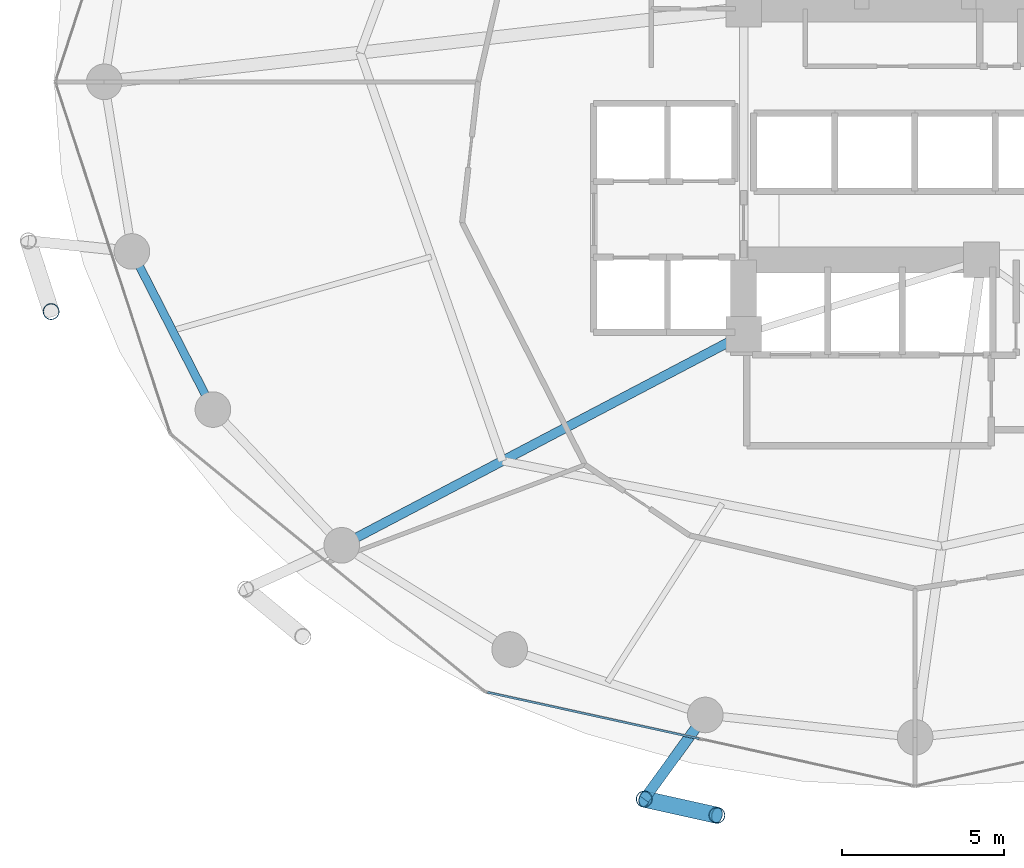
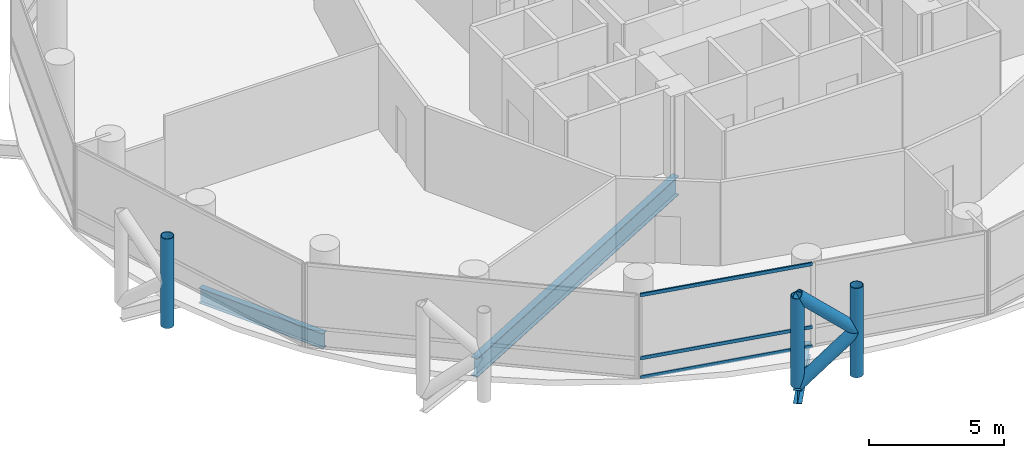
# One storey, part 3 of 25: 8 members, 3 beams, 1 element without a shape of its own.
"""IFC4 building model written with IfcOpenShell, lengths in metres."""

from ifc_helpers import new_model, si_unit, direction, frame, origin, origin_2d, place, context, subcontext, project, spatial, hollow_rectangle, hollow_circle, i_section, extrude, material, layer, layer_set, material_profile, profile_set, type_object, element, aggregate, save


model = new_model("IFC4")

# Units and contexts
model_context = context("Model", 3, precision=1e-05, world=origin(), true_north=direction((0.0, 1.0)))
body_context = subcontext(model_context, "Body", "Model", "MODEL_VIEW")
ifc_project = project(units=[si_unit("LENGTHUNIT", "METRE"), si_unit("AREAUNIT", "SQUARE_METRE"), si_unit("VOLUMEUNIT", "CUBIC_METRE"), si_unit("PLANEANGLEUNIT", "RADIAN"), si_unit("MASSUNIT", "GRAM", prefix="KILO")], contexts=[model_context])

# Site, building, storey
site_placement = place(None, origin())
site = spatial("IfcSite", under=ifc_project, at=site_placement, CompositionType="ELEMENT")
building_placement = place(site_placement, origin())
building = spatial("IfcBuilding", under=site, at=building_placement, Name="Nuhasar Tower", CompositionType="ELEMENT")
storey_placement = place(building_placement, frame((0.0, 0.0, 45.300048828125)))
storey = spatial("IfcBuildingStorey", under=building, at=storey_placement, Name="L10", CompositionType="ELEMENT", Elevation=45.300048828125)

# Beams
ifc_material_1 = material(Name="Steel S355", Category="steel")
ifc_material_profile_1 = material_profile(ifc_material_1, i_section(OverallWidth=0.2919921875, OverallDepth=0.85888671875, WebThickness=0.01708984375, FlangeThickness=0.031005859375, at=origin_2d()), Name="W33X169")
ifc_profile_set_1 = profile_set([ifc_material_profile_1], Name="Steel S355")
beam_type_1 = type_object("IfcBeamType", Name="BM-POD-W33X169", PredefinedType="BEAM", material=ifc_profile_set_1)
beam_1_placement = place(storey_placement, frame((33.699951171875, 19.0, -0.68896484375), z_axis=(-0.885330348705, -0.464962550816, 0.0), x_axis=(0.464962550816, -0.885330348705, 0.0)))
element("IfcBeam", 1, at=beam_1_placement, inside=storey, type_object=beam_type_1, Name="L10 Radial Floor Girder 01", PredefinedType="BEAM", context=body_context, shape_type="SweptSolid", body=[
    extrude(i_section(OverallWidth=0.2919921875, OverallDepth=0.85888671875, WebThickness=0.01708984375, FlangeThickness=0.031005859375, at=origin_2d()), origin(), (0.0, 0.0, 1.0), 14.0205078125),
])
ifc_material_profile_2 = material_profile(ifc_material_1, i_section(OverallWidth=0.256103515625, OverallDepth=0.693115234375, WebThickness=0.014404296875, FlangeThickness=0.023681640625, at=origin_2d()), Name="W27X114")
ifc_profile_set_2 = profile_set([ifc_material_profile_2], Name="Steel S355")
beam_type_2 = type_object("IfcBeamType", Name="BM-RING-W27X114", PredefinedType="SPANDREL", material=ifc_profile_set_2)
beam_2_placement = place(storey_placement, frame((14.803955078125, 21.55908203125, -0.60595703125), z_axis=(0.455930023905, -0.890015625314, 0.0), x_axis=(0.890015625314, 0.455930023905, 0.0)))
element("IfcBeam", 2, at=beam_2_placement, inside=storey, type_object=beam_type_2, Name="L10 Perimeter Ring Spandrel 14", PredefinedType="SPANDREL", context=body_context, shape_type="SweptSolid", body=[
    extrude(i_section(OverallWidth=0.256103515625, OverallDepth=0.693115234375, WebThickness=0.014404296875, FlangeThickness=0.023681640625, at=origin_2d()), origin(), (0.0, 0.0, 1.0), 5.487548828125),
])
ifc_material_profile_3 = material_profile(ifc_material_1, i_section(OverallWidth=0.323974609375, OverallDepth=0.611083984375, WebThickness=0.0126953125, FlangeThickness=0.01904296875, at=origin_2d()), Name="W24X104")
ifc_profile_set_3 = profile_set([ifc_material_profile_3], Name="Steel S355")
beam_type_3 = type_object("IfcBeamType", Name="BM-TIE-W24X104", PredefinedType="BEAM", material=ifc_profile_set_3)
beam_3_placement = place(storey_placement, frame((32.51708984375, 7.239990234375, -0.566162109375), z_axis=(-0.587403316448, -0.809294349311, 0.0), x_axis=(0.809294349311, -0.587403316448, 0.0)))
element("IfcBeam", 3, at=beam_3_placement, inside=storey, type_object=beam_type_3, Name="L10 Exoskeleton Node Tie Beam 09", PredefinedType="BEAM", context=body_context, shape_type="SweptSolid", body=[
    extrude(i_section(OverallWidth=0.323974609375, OverallDepth=0.611083984375, WebThickness=0.0126953125, FlangeThickness=0.01904296875, at=origin_2d()), origin(), (0.0, 0.0, 1.0), 3.212890625),
])

# Curtain wall, members
ifc_material_2 = material(Name="Aluminium 6063-T6", Category="aluminium")
ifc_layer = layer(ifc_material_2, 0.199951171875)
ifc_layer_set = layer_set([ifc_layer], Name="Aluminium 6063-T6")
curtain_wall_type = type_object("IfcCurtainWallType", Name="CW-Z1-OFF", PredefinedType="NOTDEFINED", material=ifc_layer_set)
curtain_wall_placement = place(storey_placement, origin())
curtain_wall = element("IfcCurtainWall", 4, at=curtain_wall_placement, inside=storey, type_object=curtain_wall_type, Name="L10 Unitised Curtain Wall 09", PredefinedType="NOTDEFINED")
ifc_material_profile_4 = material_profile(ifc_material_2, hollow_rectangle(XDim=0.06494140625, YDim=0.14990234375, WallThickness=0.00439453125, at=origin_2d()), Name="CWT-2")
ifc_profile_set_4 = profile_set([ifc_material_profile_4], Name="Aluminium 6063-T6")
member_type_1 = type_object("IfcMemberType", Name="CW-TRN-S2", PredefinedType="USERDEFINED", material=ifc_profile_set_4)
member_1_placement = place(storey_placement, frame((25.783447265625, 7.941162109375, 0.032470703125), z_axis=(0.976741923778, -0.214418316228, 0.0), x_axis=(0.214418316228, 0.976741923778, 0.0)))
member_1 = element("IfcMember", 5, at=member_1_placement, type_object=member_type_1, Name="CW-Z1 transom 1.1", ObjectType="TRANSOM", PredefinedType="USERDEFINED", context=body_context, shape_type="SweptSolid", body=[
    extrude(hollow_rectangle(XDim=0.06494140625, YDim=0.14990234375, WallThickness=0.00439453125, at=origin_2d()), origin(), (0.0, 0.0, 1.0), 6.70068359375),
])
member_2_placement = place(storey_placement, frame((25.783447265625, 7.941162109375, 0.89990234375), z_axis=(0.976741923778, -0.214418316228, 0.0), x_axis=(0.214418316228, 0.976741923778, 0.0)))
member_2 = element("IfcMember", 6, at=member_2_placement, type_object=member_type_1, Name="CW-Z1 transom 1.2", ObjectType="TRANSOM", PredefinedType="USERDEFINED", context=body_context, shape_type="SweptSolid", body=[
    extrude(hollow_rectangle(XDim=0.06494140625, YDim=0.14990234375, WallThickness=0.00439453125, at=origin_2d()), origin(), (0.0, 0.0, 1.0), 6.70068359375),
])
member_3_placement = place(storey_placement, frame((25.783447265625, 7.941162109375, 3.757568359375), z_axis=(0.976741923778, -0.214418316228, 0.0), x_axis=(0.214418316228, 0.976741923778, 0.0)))
member_3 = element("IfcMember", 7, at=member_3_placement, type_object=member_type_1, Name="CW-Z1 transom 1.3", ObjectType="TRANSOM", PredefinedType="USERDEFINED", context=body_context, shape_type="SweptSolid", body=[
    extrude(hollow_rectangle(XDim=0.06494140625, YDim=0.14990234375, WallThickness=0.00439453125, at=origin_2d()), origin(), (0.0, 0.0, 1.0), 6.70068359375),
])
aggregate(curtain_wall, [member_1, member_2, member_3])

# Members
ifc_material_3 = material(Name="Steel S460", Category="steel")
ifc_material_profile_5 = material_profile(ifc_material_3, hollow_circle(Radius=0.25390625, WallThickness=0.025390625, at=origin_2d()), Name="HSS508X25.4")
ifc_profile_set_5 = profile_set([ifc_material_profile_5], Name="Steel S460")
member_type_2 = type_object("IfcMemberType", Name="EXO-BRONZE-508", PredefinedType="BRACE", material=ifc_profile_set_5)
for number, where, z_axis, x_axis, name in (
    (8, (12.30810546875, 19.700927734375, 0.0), (0.0, 0.0, 1.0), (1.0, 0.0, 0.0), "L10 Exoskeleton Chord Column EC-07B"),
    (9, (30.6298828125, 4.639892578125, 0.0), (0.0, 0.0, 1.0), (1.0, 0.0, 0.0), "L10 Exoskeleton Chord Column EC-09A"),
    (10, (32.8759765625, 4.14111328125, 0.0), (0.0, 0.0, 1.0), (1.0, 0.0, 0.0), "L10 Exoskeleton Chord Column EC-09B"),
):
    element("IfcMember", number, at=place(storey_placement, frame(where, z_axis=z_axis, x_axis=x_axis)), inside=storey, type_object=member_type_2, Name=name, PredefinedType="BRACE", context=body_context, shape_type="SweptSolid", body=[
        extrude(hollow_circle(Radius=0.25390625, WallThickness=0.025390625, at=origin_2d()), origin(), (0.0, 0.0, 1.0), 4.050048828125),
    ])
member_4_placement = place(storey_placement, frame((30.6298828125, 4.639892578125, 0.0), z_axis=(0.732830973624, -0.162736269469, 0.66066305383), x_axis=(0.216784396973, 0.976219506683, 0.0)))
element("IfcMember", 11, at=member_4_placement, inside=storey, type_object=member_type_2, Name="L10 Bronze Diagrid Brace W1-09", PredefinedType="BRACE", context=body_context, shape_type="SweptSolid", body=[
    extrude(hollow_circle(Radius=0.25390625, WallThickness=0.025390625, at=origin_2d()), origin(), (0.0, 0.0, 1.0), 3.06494140625),
])
member_5_placement = place(storey_placement, frame((32.8759765625, 4.14111328125, 2.02490234375), z_axis=(-0.732792408767, 0.162727705556, 0.660707938122), x_axis=(-0.216784396973, -0.976219506683, 0.0)))
element("IfcMember", 12, at=member_5_placement, inside=storey, type_object=member_type_2, Name="L10 Bronze Diagrid Brace W2-09", PredefinedType="BRACE", context=body_context, shape_type="SweptSolid", body=[
    extrude(hollow_circle(Radius=0.25390625, WallThickness=0.025390625, at=origin_2d()), origin(), (0.0, 0.0, 1.0), 3.065185546875),
])

save(model, "model.ifc")
